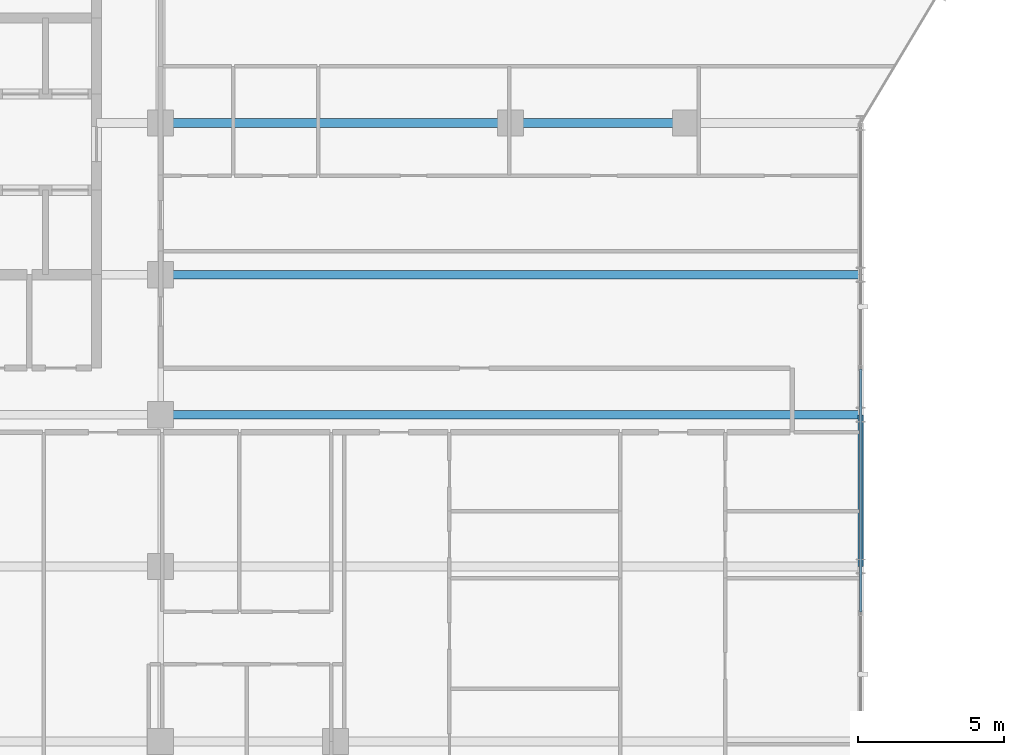
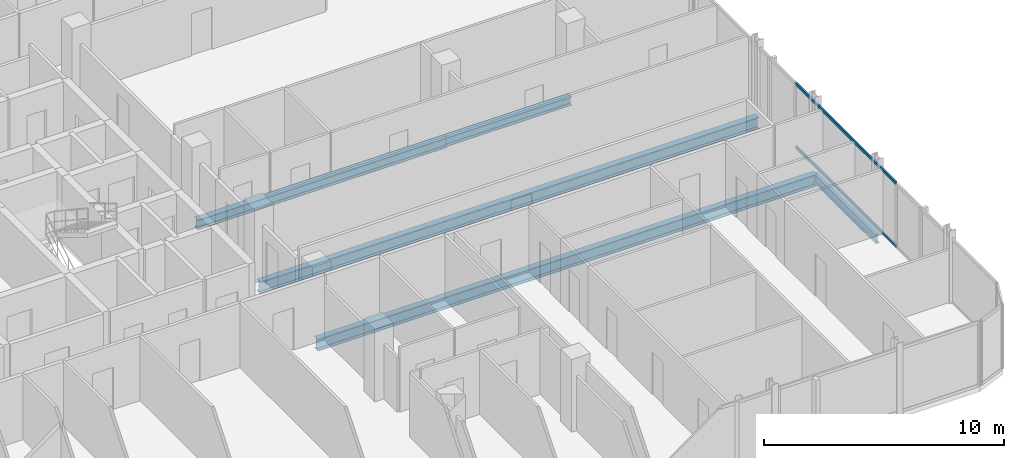
# One storey, part 12 of 31: 5 beams, 2 members, 1 element without a shape of its own.
"""IFC4 building model written with IfcOpenShell, lengths in metres."""

import ifcopenshell
import ifcopenshell.guid

model = None  # the IFC model being written
_history = None  # IfcOwnerHistory: only IFC2X3 demands one
_inside = {}  # id of a spatial element -> (the spatial element, [elements in it])
_under = {}  # id of a project, library or spatial element -> (it, [spatial elements below it])
_declared = {}  # id of a project -> (the project, [libraries it declares])
_typed = {}  # id of a type object -> (the type object, [elements of that type])
_made_of = {}  # id of a material, layer set ... -> (it, [elements and type objects made of it])


def new_model(schema):
    """Start an empty IFC model of exactly this schema.

    Asked for "IFC4X3", IfcOpenShell would pick the latest addendum, in which some entities
    have other attributes; the version numbers below select the first issue.
    IFC2X3 requires an IfcOwnerHistory on every rooted entity: one is made here for all.
    """
    global model, _history
    if schema == "IFC4X3":
        model = ifcopenshell.file(schema_version=(4, 3, 0, 0))
    else:
        model = ifcopenshell.file(schema=schema)
    _inside.clear()
    _under.clear()
    _declared.clear()
    _typed.clear()
    _made_of.clear()
    _history = None
    if model.schema == "IFC2X3":
        org = make("IfcOrganization", Name="unknown")
        user = make(
            "IfcPersonAndOrganization",
            ThePerson=make("IfcPerson", FamilyName="unknown"),
            TheOrganization=org,
        )
        app = make(
            "IfcApplication",
            ApplicationDeveloper=org,
            Version="unknown",
            ApplicationFullName="unknown",
            ApplicationIdentifier="unknown",
        )
        _history = make(
            "IfcOwnerHistory",
            OwningUser=user,
            OwningApplication=app,
            ChangeAction="ADDED",
            CreationDate=0,
        )
    return model


def make(cls, **values):
    """One entity of the class cls with the attributes given. An attribute that is None is left unset."""
    return model.create_entity(
        cls, **{name: value for name, value in values.items() if value is not None}
    )


def rooted(cls, **values):
    """An entity with a GlobalId (a new one), such as an element, a storey or a relation."""
    return make(cls, GlobalId=ifcopenshell.guid.new(), OwnerHistory=_history, **values)


def si_unit(unit_type, name, prefix=None):
    """IfcSIUnit, for example si_unit("LENGTHUNIT", "METRE", prefix="MILLI")."""
    return make("IfcSIUnit", UnitType=unit_type, Prefix=prefix, Name=name)


def assignment(units):
    """IfcUnitAssignment: the units of a project."""
    return None if units is None else make("IfcUnitAssignment", Units=units)


def point(xyz):
    """IfcCartesianPoint."""
    return None if xyz is None else make("IfcCartesianPoint", Coordinates=xyz)


def direction(xyz):
    """IfcDirection."""
    return None if xyz is None else make("IfcDirection", DirectionRatios=xyz)


def frame(location, z_axis=None, x_axis=None):
    """IfcAxis2Placement3D, a coordinate frame: its origin and axes. An axis left out is left unset."""
    return make(
        "IfcAxis2Placement3D",
        Location=point(location),
        Axis=direction(z_axis),
        RefDirection=direction(x_axis),
    )


def frame_2d(location, x_axis=None):
    """IfcAxis2Placement2D, a coordinate frame in the plane: its origin and x axis."""
    return make(
        "IfcAxis2Placement2D", Location=point(location), RefDirection=direction(x_axis)
    )


def origin():
    """The frame at (0, 0, 0) with its axes left unset."""
    return frame((0.0, 0.0, 0.0))


def origin_2d():
    """The frame at (0, 0) in the plane with its x axis left unset."""
    return frame_2d((0.0, 0.0))


def place(relative_to, where):
    """IfcLocalPlacement: puts the frame where relative to a parent placement (None: the world)."""
    return make(
        "IfcLocalPlacement", PlacementRelTo=relative_to, RelativePlacement=where
    )


def context(
    kind, dimensions, precision=None, world=None, true_north=None, identifier=None
):
    """IfcGeometricRepresentationContext, for example the 3D "Model" context."""
    return make(
        "IfcGeometricRepresentationContext",
        ContextIdentifier=identifier,
        ContextType=kind,
        CoordinateSpaceDimension=dimensions,
        Precision=precision,
        WorldCoordinateSystem=world,
        TrueNorth=true_north,
    )


def subcontext(parent, identifier, kind, view, scale=None):
    """IfcGeometricRepresentationSubContext, for example "Body" below "Model"."""
    return make(
        "IfcGeometricRepresentationSubContext",
        ContextIdentifier=identifier,
        ContextType=kind,
        ParentContext=parent,
        TargetScale=scale,
        TargetView=view,
    )


def project(units=None, contexts=None):
    """IfcProject with its units and contexts."""
    return rooted(
        "IfcProject",
        Name="project",
        RepresentationContexts=contexts,
        UnitsInContext=assignment(units),
    )


def spatial(cls, under=None, at=None, **own):
    """A site, building, storey or space (cls), placed at a placement, below another one or the project."""
    s = rooted(cls, ObjectPlacement=at, **own)
    if under is not None:
        _under.setdefault(under.id(), (under, []))[1].append(s)
    return s


def profile(cls, at=None, kind="AREA", **sizes):
    """A parametric profile (cls). Its sizes go by their IFC names, for example OverallWidth=200.0."""
    return make(cls, ProfileType=kind, Position=at, **sizes)


def hollow_rectangle(**sizes):
    """IfcRectangleHollowProfileDef."""
    return profile("IfcRectangleHollowProfileDef", **sizes)


def i_section(**sizes):
    """IfcIShapeProfileDef."""
    return profile("IfcIShapeProfileDef", **sizes)


def extrude(swept, where, along, depth):
    """IfcExtrudedAreaSolid: the profile swept, set in the frame where, extruded along a direction by depth."""
    return make(
        "IfcExtrudedAreaSolid",
        SweptArea=swept,
        Position=where,
        ExtrudedDirection=direction(along),
        Depth=depth,
    )


def shape(context_of_items, identifier, shape_type, items):
    """IfcShapeRepresentation: the items that make up one representation, for example the "Body"."""
    return make(
        "IfcShapeRepresentation",
        ContextOfItems=context_of_items,
        RepresentationIdentifier=identifier,
        RepresentationType=shape_type,
        Items=items,
    )


def material(Name=None, Category=None):
    """IfcMaterial."""
    return make("IfcMaterial", Name=Name, Category=Category)


def layer(
    of_material, thickness, ventilated=None, Name=None, Category=None, Priority=None
):
    """IfcMaterialLayer: one layer of a wall or slab, of a material (None: an air gap)."""
    return make(
        "IfcMaterialLayer",
        Material=of_material,
        LayerThickness=thickness,
        IsVentilated=ventilated,
        Name=Name,
        Category=Category,
        Priority=Priority,
    )


def layer_set(layers, Name=None):
    """IfcMaterialLayerSet."""
    return make("IfcMaterialLayerSet", MaterialLayers=layers, LayerSetName=Name)


def material_profile(
    of_material, cross_section, Name=None, Category=None, Priority=None
):
    """IfcMaterialProfile: a cross section and its material."""
    return make(
        "IfcMaterialProfile",
        Name=Name,
        Material=of_material,
        Profile=cross_section,
        Priority=Priority,
        Category=Category,
    )


def profile_set(profiles, Name=None, composite=None):
    """IfcMaterialProfileSet."""
    return make(
        "IfcMaterialProfileSet",
        Name=Name,
        MaterialProfiles=profiles,
        CompositeProfile=composite,
    )


def made_of(thing, what):
    """Note that an element or type object is made of a material, layer set ...; save() writes the relation."""
    if what is not None:
        _made_of.setdefault(what.id(), (what, []))[1].append(thing)
    return thing


def type_object(cls, material=None, **own):
    """A type object (cls), such as IfcWallType, which elements share."""
    return made_of(rooted(cls, **own), material)


def element(
    cls,
    number,
    at=None,
    inside=None,
    cuts=None,
    type_object=None,
    material=None,
    context=None,
    identifier="Body",
    shape_type=None,
    held_by="IfcProductDefinitionShape",
    body=None,
    shapes=None,
    **own,
):
    """One element of the class cls, such as IfcWall. Its Tag is "e" and its number.

    at: its placement. inside: the storey or other place that contains it. cuts: it is an
    opening in that element (IfcRelVoidsElement). A single representation is given by context,
    identifier, shape_type and body (its items); several are given by shapes. held_by: the class
    of the entity that holds the representations. save() writes the other relations.
    """
    e = rooted(cls, Tag="e%d" % number, ObjectPlacement=at, **own)
    if body is not None:
        shapes = [shape(context, identifier, shape_type, body)]
    if shapes is not None:
        e.Representation = make(held_by, Representations=shapes)
    if inside is not None:
        _inside.setdefault(inside.id(), (inside, []))[1].append(e)
    if cuts is not None:
        rooted(
            "IfcRelVoidsElement", RelatingBuildingElement=cuts, RelatedOpeningElement=e
        )
    if type_object is not None:
        _typed.setdefault(type_object.id(), (type_object, []))[1].append(e)
    return made_of(e, material)


def aggregate(whole, parts):
    """IfcRelAggregates: a whole, such as a stair, and the parts it consists of."""
    return rooted("IfcRelAggregates", RelatingObject=whole, RelatedObjects=parts)


def save(model, path):
    """Write the relations noted so far, then the file.

    IfcRelAggregates (storeys below a building ...), IfcRelContainedInSpatialStructure (elements
    in a storey), IfcRelDefinesByType, IfcRelAssociatesMaterial and IfcRelDeclares: one each for
    every whole, place, type object, material and project.
    """
    for whole, parts in _under.values():
        aggregate(whole, parts)
    for where, things in _inside.values():
        rooted(
            "IfcRelContainedInSpatialStructure",
            RelatedElements=things,
            RelatingStructure=where,
        )
    for kind, things in _typed.values():
        rooted("IfcRelDefinesByType", RelatedObjects=things, RelatingType=kind)
    for what, things in _made_of.values():
        rooted("IfcRelAssociatesMaterial", RelatedObjects=things, RelatingMaterial=what)
    for by, libraries in _declared.values():
        rooted("IfcRelDeclares", RelatingContext=by, RelatedDefinitions=libraries)
    model.write(path)


model = new_model("IFC4")

# Units and contexts
model_context = context("Model", 3, precision=1e-05, world=origin(), true_north=direction((0.0, 1.0)))
body_context = subcontext(model_context, "Body", "Model", "MODEL_VIEW")
ifc_project = project(units=[si_unit("LENGTHUNIT", "METRE"), si_unit("AREAUNIT", "SQUARE_METRE"), si_unit("VOLUMEUNIT", "CUBIC_METRE"), si_unit("PLANEANGLEUNIT", "RADIAN"), si_unit("MASSUNIT", "GRAM", prefix="KILO")], contexts=[model_context])

# Site, building, storey
site_placement = place(None, origin())
site = spatial("IfcSite", under=ifc_project, at=site_placement, CompositionType="ELEMENT")
building_placement = place(site_placement, origin())
building = spatial("IfcBuilding", under=site, at=building_placement, Name="Keshet Zoharim Tower", CompositionType="ELEMENT")
storey_placement = place(building_placement, frame((0.0, 0.0, 155.699951171875)))
storey = spatial("IfcBuildingStorey", under=building, at=storey_placement, Name="L38", CompositionType="ELEMENT", Elevation=155.699951171875)

# Beams
ifc_material_1 = material(Name="Steel S355", Category="steel")
ifc_material_profile_1 = material_profile(ifc_material_1, i_section(OverallWidth=0.300048828125, OverallDepth=0.60009765625, WebThickness=0.015380859375, FlangeThickness=0.030029296875, FilletRadius=0.027099609375, at=origin_2d()), Name="HEB600")
ifc_profile_set_1 = profile_set([ifc_material_profile_1], Name="Steel S355")
beam_type_1 = type_object("IfcBeamType", Name="BM-LNG-HB600", PredefinedType="BEAM", material=ifc_profile_set_1)
for number, where, z_axis, x_axis, name in (
    (1, (33.0, 17.89990234375, -0.614990234375), (1.0, 0.0, 0.0), (0.0, 1.0, 0.0), "L38 Primary Girder X-013"),
    (2, (33.0, 22.699951171875, -0.614990234375), (1.0, 0.0, 0.0), (0.0, 1.0, 0.0), "L38 Primary Girder X-014"),
):
    element("IfcBeam", number, at=place(storey_placement, frame(where, z_axis=z_axis, x_axis=x_axis)), inside=storey, type_object=beam_type_1, Name=name, PredefinedType="BEAM", context=body_context, shape_type="SweptSolid", body=[
        extrude(i_section(OverallWidth=0.300048828125, OverallDepth=0.60009765625, WebThickness=0.015380859375, FlangeThickness=0.030029296875, FilletRadius=0.027099609375, at=origin_2d()), origin(), (0.0, 0.0, 1.0), 24.0),
    ])
ifc_material_profile_2 = material_profile(ifc_material_1, i_section(OverallWidth=0.300048828125, OverallDepth=0.5, WebThickness=0.014404296875, FlangeThickness=0.028076171875, FilletRadius=0.027099609375, at=origin_2d()), Name="HEB500")
ifc_profile_set_2 = profile_set([ifc_material_profile_2], Name="Steel S355")
beam_type_2 = type_object("IfcBeamType", Name="BM-MED-HB500", PredefinedType="BEAM", material=ifc_profile_set_2)
beam_1_placement = place(storey_placement, frame((33.0, 27.89990234375, -0.56494140625), z_axis=(1.0, 0.0, 0.0), x_axis=(0.0, 1.0, 0.0)))
element("IfcBeam", 3, at=beam_1_placement, inside=storey, type_object=beam_type_2, Name="L38 Primary Girder X-015", PredefinedType="BEAM", context=body_context, shape_type="SweptSolid", body=[
    extrude(i_section(OverallWidth=0.300048828125, OverallDepth=0.5, WebThickness=0.014404296875, FlangeThickness=0.028076171875, FilletRadius=0.027099609375, at=origin_2d()), origin(), (0.0, 0.0, 1.0), 12.0),
])
ifc_material_profile_3 = material_profile(ifc_material_1, i_section(OverallWidth=0.18994140625, OverallDepth=0.449951171875, WebThickness=0.009521484375, FlangeThickness=0.0146484375, FilletRadius=0.02099609375, at=origin_2d()), Name="IPE450")
ifc_profile_set_3 = profile_set([ifc_material_profile_3], Name="Steel S355")
beam_type_3 = type_object("IfcBeamType", Name="BM-PRI-IP450", PredefinedType="BEAM", material=ifc_profile_set_3)
beam_2_placement = place(storey_placement, frame((57.0, 12.699951171875, -0.5400390625), z_axis=(0.0, 1.0, 0.0), x_axis=(-1.0, 0.0, 0.0)))
element("IfcBeam", 4, at=beam_2_placement, inside=storey, type_object=beam_type_3, Name="L38 Primary Girder Y-014", PredefinedType="BEAM", context=body_context, shape_type="SweptSolid", body=[
    extrude(i_section(OverallWidth=0.18994140625, OverallDepth=0.449951171875, WebThickness=0.009521484375, FlangeThickness=0.0146484375, FilletRadius=0.02099609375, at=origin_2d()), origin(), (0.0, 0.0, 1.0), 5.199951171875),
])
ifc_material_profile_4 = material_profile(ifc_material_1, i_section(OverallWidth=0.300048828125, OverallDepth=0.449951171875, WebThickness=0.013916015625, FlangeThickness=0.02587890625, FilletRadius=0.027099609375, at=origin_2d()), Name="HEB450")
ifc_profile_set_4 = profile_set([ifc_material_profile_4], Name="Steel S355")
beam_type_4 = type_object("IfcBeamType", Name="BM-WEB-HB450", PredefinedType="BEAM", material=ifc_profile_set_4)
beam_3_placement = place(storey_placement, frame((45.0, 27.89990234375, -0.5400390625), z_axis=(1.0, 0.0, 0.0), x_axis=(0.0, 1.0, 0.0)))
element("IfcBeam", 5, at=beam_3_placement, inside=storey, type_object=beam_type_4, Name="L38 Primary Girder X-016", PredefinedType="BEAM", context=body_context, shape_type="SweptSolid", body=[
    extrude(i_section(OverallWidth=0.300048828125, OverallDepth=0.449951171875, WebThickness=0.013916015625, FlangeThickness=0.02587890625, FilletRadius=0.027099609375, at=origin_2d()), origin(), (0.0, 0.0, 1.0), 6.0),
])

# Curtain wall, members
ifc_material_2 = material(Name="Aluminium 6063-T6", Category="aluminium")
ifc_layer = layer(ifc_material_2, 0.159912109375)
ifc_layer_set = layer_set([ifc_layer], Name="Aluminium 6063-T6")
curtain_wall_type = type_object("IfcCurtainWallType", Name="CW-SYS-03", PredefinedType="NOTDEFINED", material=ifc_layer_set)
curtain_wall_placement = place(storey_placement, origin())
curtain_wall = element("IfcCurtainWall", 6, at=curtain_wall_placement, inside=storey, type_object=curtain_wall_type, Name="L38 Unitised Curtain Wall 19", PredefinedType="NOTDEFINED")
ifc_material_profile_5 = material_profile(ifc_material_2, hollow_rectangle(XDim=0.080078125, YDim=0.139892578125, WallThickness=0.00390625, at=origin_2d()), Name="TRN-80x140")
ifc_profile_set_5 = profile_set([ifc_material_profile_5], Name="Aluminium 6063-T6")
member_type = type_object("IfcMemberType", Name="CWT-T14", PredefinedType="USERDEFINED", material=ifc_profile_set_5)
member_1_placement = place(storey_placement, frame((57.0, 19.465087890625, 0.03515625), z_axis=(0.0, -1.0, 0.0), x_axis=(1.0, 0.0, 0.0)))
member_1 = element("IfcMember", 7, at=member_1_placement, type_object=member_type, Name="CW-03 transom 2.1", ObjectType="TRANSOM", PredefinedType="USERDEFINED", context=body_context, shape_type="SweptSolid", body=[
    extrude(hollow_rectangle(XDim=0.080078125, YDim=0.139892578125, WallThickness=0.00390625, at=origin_2d()), origin(), (0.0, 0.0, 1.0), 8.330078125),
])
member_2_placement = place(storey_placement, frame((57.0, 19.465087890625, 3.2451171875), z_axis=(0.0, -1.0, 0.0), x_axis=(1.0, 0.0, 0.0)))
member_2 = element("IfcMember", 8, at=member_2_placement, type_object=member_type, Name="CW-03 transom 2.2", ObjectType="TRANSOM", PredefinedType="USERDEFINED", context=body_context, shape_type="SweptSolid", body=[
    extrude(hollow_rectangle(XDim=0.080078125, YDim=0.139892578125, WallThickness=0.00390625, at=origin_2d()), origin(), (0.0, 0.0, 1.0), 8.330078125),
])
aggregate(curtain_wall, [member_1, member_2])

save(model, "model.ifc")
